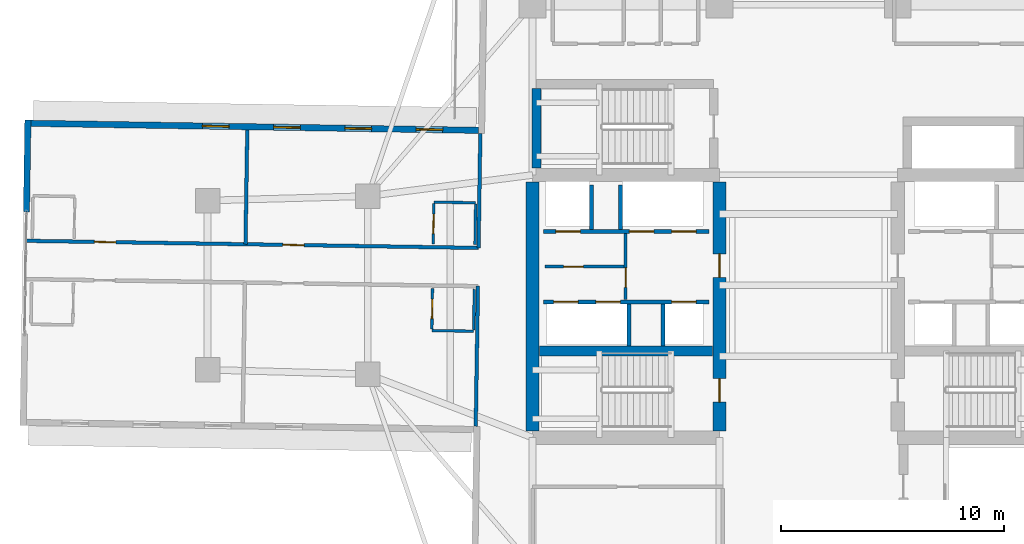
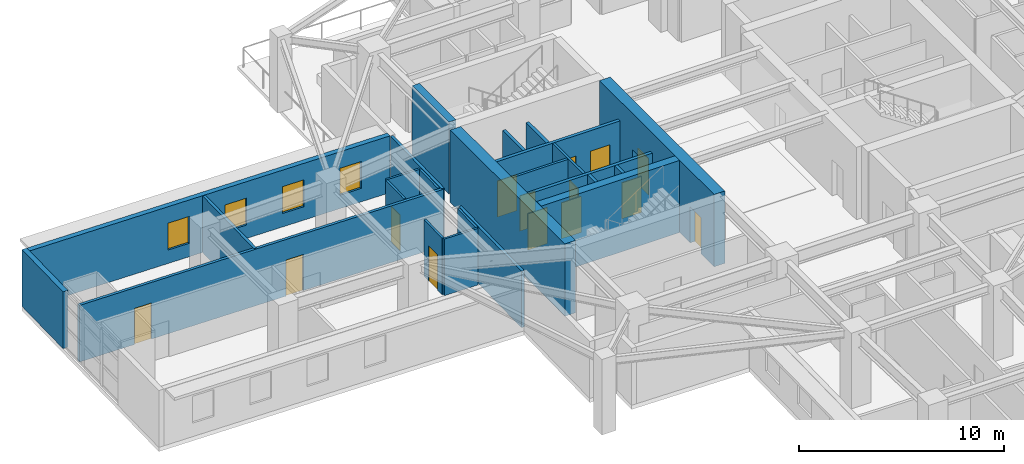
# One storey, part 13 of 22: 24 walls, 14 doors, 4 windows, 18 openings.
"""IFC4 building model written with IfcOpenShell, lengths in metres."""

from ifc_helpers import new_model, si_unit, direction, frame, frame_2d, origin, place, context, subcontext, project, spatial, rectangle, extrude, material, layer, layer_set, type_object, element, fill, save


model = new_model("IFC4")

# Units and contexts
model_context = context("Model", 3, precision=1e-05, world=origin(), true_north=direction((0.0, 1.0)))
body_context = subcontext(model_context, "Body", "Model", "MODEL_VIEW")
ifc_project = project(units=[si_unit("LENGTHUNIT", "METRE"), si_unit("AREAUNIT", "SQUARE_METRE"), si_unit("VOLUMEUNIT", "CUBIC_METRE"), si_unit("PLANEANGLEUNIT", "RADIAN"), si_unit("MASSUNIT", "GRAM", prefix="KILO")], contexts=[model_context])

# Site, building, storey
site_placement = place(None, origin())
site = spatial("IfcSite", under=ifc_project, at=site_placement, CompositionType="ELEMENT")
building_placement = place(site_placement, origin())
building = spatial("IfcBuilding", under=site, at=building_placement, Name="Qingluan Cross Belvedere", CompositionType="ELEMENT")
storey_placement = place(building_placement, frame((0.0, 0.0, 100.199951171875)))
storey = spatial("IfcBuildingStorey", under=building, at=storey_placement, Name="L25", CompositionType="ELEMENT", Elevation=100.199951171875)

# Walls
ifc_material_1 = material(Name="Concrete C50", Category="concrete")
ifc_layer_1 = layer(ifc_material_1, 0.449951171875, Name="CoreShearWall_450")
ifc_layer_set_1 = layer_set([ifc_layer_1], Name="Concrete C50")
wall_type_1 = type_object("IfcWallType", Name="CoreShearWall_450", PredefinedType="SHEAR", material=ifc_layer_set_1)
wall_1_placement = place(storey_placement, frame((-12.094970703125, -2.9599609375, 0.0), z_axis=(0.0, 0.0, 1.0), x_axis=(1.0, 0.0, 0.0)))
element("IfcWall", 1, at=wall_1_placement, inside=storey, type_object=wall_type_1, Name="Split core W shear wall L25-M", PredefinedType="SHEAR", context=body_context, shape_type="SweptSolid", body=[
    extrude(rectangle(XDim=7.7900390625, YDim=0.449951171875, at=frame_2d((3.89501953125, 0.0))), origin(), (0.0, 0.0, 1.0), 4.300048828125),
])
wall_2_placement = place(storey_placement, frame((-12.219970703125, 5.2548828125, 0.0), z_axis=(0.0, 0.0, 1.0), x_axis=(0.0, 1.0, 0.0)))
element("IfcWall", 2, at=wall_2_placement, inside=storey, type_object=wall_type_1, Name="Stair ST3 structural wall W L25", PredefinedType="SHEAR", context=body_context, shape_type="SweptSolid", body=[
    extrude(rectangle(XDim=3.580078125, YDim=0.39990234375, at=frame_2d((1.7900390625, 0.0))), origin(), (0.0, 0.0, 1.0), 4.300048828125),
])
ifc_material_2 = material(Name="Concrete C60", Category="concrete")
ifc_layer_2 = layer(ifc_material_2, 0.60009765625, Name="CoreShearWall_600")
ifc_layer_set_2 = layer_set([ifc_layer_2], Name="Concrete C60")
wall_type_2 = type_object("IfcWallType", Name="CoreShearWall_600", PredefinedType="SHEAR", material=ifc_layer_set_2)
wall_3_placement = place(storey_placement, frame((-12.39990234375, -6.544921875, 0.0), z_axis=(0.0, 0.0, 1.0), x_axis=(0.0, 1.0, 0.0)))
element("IfcWall", 3, at=wall_3_placement, inside=storey, type_object=wall_type_2, Name="Split core W shear wall L25-W", PredefinedType="SHEAR", context=body_context, shape_type="SweptSolid", body=[
    extrude(rectangle(XDim=11.18994140625, YDim=0.60009765625, at=frame_2d((5.594970703125, 0.0))), origin(), (0.0, 0.0, 1.0), 4.300048828125),
])

# Wall, openings, doors
wall_4_placement = place(storey_placement, frame((-4.0, -6.544921875, 0.0), z_axis=(0.0, 0.0, 1.0), x_axis=(0.0, 1.0, 0.0)))
wall_4 = element("IfcWall", 4, at=wall_4_placement, inside=storey, type_object=wall_type_2, Name="Split core W shear wall L25-E", PredefinedType="SHEAR", context=body_context, shape_type="SweptSolid", body=[
    extrude(rectangle(XDim=11.18994140625, YDim=0.60009765625, at=frame_2d((5.594970703125, 0.0))), origin(), (0.0, 0.0, 1.0), 4.300048828125),
])
opening_1_placement = place(wall_4_placement, frame((1.294921875, 0.0, 0.0)))
opening_1 = element("IfcOpeningElement", 5, at=opening_1_placement, cuts=wall_4, Name="Opening FD-B11", PredefinedType="OPENING", context=body_context, shape_type="SweptSolid", body=[
    extrude(rectangle(XDim=1.050048828125, YDim=2.14990234375, at=frame_2d((0.52490234375, 1.074951171875))), frame((0.0, 0.31005859375, 0.0), z_axis=(0.0, -1.0, 0.0), x_axis=(1.0, 0.0, 0.0)), (0.0, 0.0, 1.0), 0.6201171875),
])
opening_2_placement = place(wall_4_placement, frame((6.89501953125, 0.0, 0.0)))
opening_2 = element("IfcOpeningElement", 6, at=opening_2_placement, cuts=wall_4, Name="Opening FD-B11", PredefinedType="OPENING", context=body_context, shape_type="SweptSolid", body=[
    extrude(rectangle(XDim=1.050048828125, YDim=2.14990234375, at=frame_2d((0.52490234375, 1.074951171875))), frame((0.0, 0.31005859375, 0.0), z_axis=(0.0, -1.0, 0.0), x_axis=(1.0, 0.0, 0.0)), (0.0, 0.0, 1.0), 0.6201171875),
])
ifc_material_3 = material(Name="Steel Class B smoke-seal fire door", Category="steel")
door_type_1 = type_object("IfcDoorType", Name="StairLobbyFireDoor_FDB", OperationType="NOTDEFINED", PredefinedType="DOOR", material=ifc_material_3)
door_1_placement = place(opening_1_placement, origin())
door_1 = element("IfcDoor", 7, at=door_1_placement, inside=storey, type_object=door_type_1, Name="Smoke-proof stair ST1 fire door L25", OperationType="SINGLE_SWING_RIGHT", OverallHeight=2.14990234375, OverallWidth=1.050048828125, PredefinedType="DOOR", context=body_context, shape_type="SweptSolid", body=[
    extrude(rectangle(XDim=1.050048828125, YDim=2.14990234375, at=frame_2d((0.52490234375, 1.074951171875))), frame((0.0, 0.02490234375, 0.0), z_axis=(0.0, -1.0, 0.0), x_axis=(1.0, 0.0, 0.0)), (0.0, 0.0, 1.0), 0.050048828125),
])
fill(opening_1, door_1)
door_2_placement = place(opening_2_placement, origin())
door_2 = element("IfcDoor", 8, at=door_2_placement, inside=storey, type_object=door_type_1, Name="Firefighting lobby West fire door L25", OperationType="SINGLE_SWING_RIGHT", OverallHeight=2.14990234375, OverallWidth=1.050048828125, PredefinedType="DOOR", context=body_context, shape_type="SweptSolid", body=[
    extrude(rectangle(XDim=1.050048828125, YDim=2.14990234375, at=frame_2d((0.52490234375, 1.074951171875))), frame((0.0, 0.02490234375, 0.0), z_axis=(0.0, -1.0, 0.0), x_axis=(1.0, 0.0, 0.0)), (0.0, 0.0, 1.0), 0.050048828125),
])
fill(opening_2, door_2)

# Wall, opening, door
ifc_material_4 = material(Name="Gypsum plasterboard on steel stud acoustic partition", Category="steel")
ifc_layer_3 = layer(ifc_material_4, 0.159912109375, Name="CorridorPartition_160")
ifc_layer_set_3 = layer_set([ifc_layer_3], Name="Gypsum plasterboard on steel stud acoustic partition")
wall_type_3 = type_object("IfcWallType", Name="CorridorPartition_160", PredefinedType="PARTITIONING", material=ifc_layer_set_3)
wall_5_placement = place(storey_placement, frame((-11.85009765625, 0.830078125, 0.0), z_axis=(0.0, 0.0, 1.0), x_axis=(1.0, 0.0, 0.0)))
wall_5 = element("IfcWall", 9, at=wall_5_placement, inside=storey, type_object=wall_type_3, Name="Partition L25:w", PredefinedType="PARTITIONING", context=body_context, shape_type="SweptSolid", body=[
    extrude(rectangle(XDim=3.552001953125, YDim=0.139892578125, at=frame_2d((1.77587890625, 0.0))), origin(), (0.0, 0.0, 1.0), 3.3701171875),
])
opening_3_placement = place(wall_5_placement, frame((0.85009765625, 0.0, 0.0)))
opening_3 = element("IfcOpeningElement", 10, at=opening_3_placement, cuts=wall_5, Name="Opening FD-B10", PredefinedType="OPENING", context=body_context, shape_type="SweptSolid", body=[
    extrude(rectangle(XDim=0.8798828125, YDim=2.10009765625, at=frame_2d((0.43994140625, 1.050048828125))), frame((0.0, 0.079833984375, 0.0), z_axis=(0.0, -1.0, 0.0), x_axis=(1.0, 0.0, 0.0)), (0.0, 0.0, 1.0), 0.159912109375),
])
ifc_material_5 = material(Name="Steel Class B service fire door", Category="steel")
door_type_2 = type_object("IfcDoorType", Name="RiserServiceFireDoor_FDB", OperationType="NOTDEFINED", PredefinedType="DOOR", material=ifc_material_5)
door_3_placement = place(opening_3_placement, origin())
door_3 = element("IfcDoor", 11, at=door_3_placement, inside=storey, type_object=door_type_2, Name="Service closet inner door L25", OperationType="SINGLE_SWING_RIGHT", OverallHeight=2.10009765625, OverallWidth=0.8798828125, PredefinedType="DOOR", context=body_context, shape_type="SweptSolid", body=[
    extrude(rectangle(XDim=0.8798828125, YDim=2.10009765625, at=frame_2d((0.43994140625, 1.050048828125))), frame((0.0, 0.02490234375, 0.0), z_axis=(0.0, -1.0, 0.0), x_axis=(1.0, 0.0, 0.0)), (0.0, 0.0, 1.0), 0.050048828125),
])
fill(opening_3, door_3)

# Wall, openings, doors
wall_6_placement = place(storey_placement, frame((-14.825439453125, 1.673095703125, 0.0), z_axis=(0.0, 0.0, 1.0), x_axis=(-0.999876629467, 0.015707509204, 0.0)))
wall_6 = element("IfcWall", 12, at=wall_6_placement, inside=storey, type_object=wall_type_3, Name="Partition L25:W:c0", PredefinedType="PARTITIONING", context=body_context, shape_type="SweptSolid", body=[
    extrude(rectangle(XDim=20.330078125, YDim=0.159912109375, at=frame_2d((10.1650390625, 0.0))), origin(), (0.0, 0.0, 1.0), 3.3701171875),
])
opening_4_placement = place(wall_6_placement, frame((7.8359375, 0.0, 0.0)))
opening_4 = element("IfcOpeningElement", 13, at=opening_4_placement, cuts=wall_6, Name="Opening GD-10", PredefinedType="OPENING", context=body_context, shape_type="SweptSolid", body=[
    extrude(rectangle(XDim=0.9599609375, YDim=2.14990234375, at=frame_2d((0.47998046875, 1.074951171875))), frame((0.0, 0.08984375, 0.0), z_axis=(0.0, -1.0, 0.0), x_axis=(1.0, 0.0, 0.0)), (0.0, 0.0, 1.0), 0.179931640625),
])
opening_5_placement = place(wall_6_placement, frame((16.2958984375, 0.0, 0.0)))
opening_5 = element("IfcOpeningElement", 14, at=opening_5_placement, cuts=wall_6, Name="Opening GD-10", PredefinedType="OPENING", context=body_context, shape_type="SweptSolid", body=[
    extrude(rectangle(XDim=0.9599609375, YDim=2.14990234375, at=frame_2d((0.47998046875, 1.074951171875))), frame((0.0, 0.08984375, 0.0), z_axis=(0.0, -1.0, 0.0), x_axis=(1.0, 0.0, 0.0)), (0.0, 0.0, 1.0), 0.179931640625),
])
ifc_material_6 = material(Name="Timber oak fire-rated acoustic guestroom door", Category="wood")
door_type_3 = type_object("IfcDoorType", Name="GuestEntryDoor_FD60", OperationType="NOTDEFINED", PredefinedType="DOOR", material=ifc_material_6)
door_4_placement = place(opening_4_placement, origin())
door_4 = element("IfcDoor", 15, at=door_4_placement, inside=storey, type_object=door_type_3, Name="Guest entry fire door 2505", OperationType="SINGLE_SWING_LEFT", OverallHeight=2.14990234375, OverallWidth=0.9599609375, PredefinedType="DOOR", context=body_context, shape_type="SweptSolid", body=[
    extrude(rectangle(XDim=0.9599609375, YDim=2.14990234375, at=frame_2d((0.47998046875, 1.074951171875))), frame((0.0, 0.02490234375, 0.0), z_axis=(0.0, -1.0, 0.0), x_axis=(1.0, 0.0, 0.0)), (0.0, 0.0, 1.0), 0.050048828125),
])
fill(opening_4, door_4)
door_5_placement = place(opening_5_placement, origin())
door_5 = element("IfcDoor", 16, at=door_5_placement, inside=storey, type_object=door_type_3, Name="Guest entry fire door 2506", OperationType="SINGLE_SWING_LEFT", OverallHeight=2.14990234375, OverallWidth=0.9599609375, PredefinedType="DOOR", context=body_context, shape_type="SweptSolid", body=[
    extrude(rectangle(XDim=0.9599609375, YDim=2.14990234375, at=frame_2d((0.47998046875, 1.074951171875))), frame((0.0, 0.02490234375, 0.0), z_axis=(0.0, -1.0, 0.0), x_axis=(1.0, 0.0, 0.0)), (0.0, 0.0, 1.0), 0.050048828125),
])
fill(opening_5, door_5)

# Walls
wall_7_placement = place(storey_placement, frame((-14.825439453125, 1.673095703125, 0.0), z_axis=(0.0, 0.0, 1.0), x_axis=(0.015698892967, 0.999876764786, 0.0)))
element("IfcWall", 17, at=wall_7_placement, inside=storey, type_object=wall_type_3, Name="Partition L25:W:s0", PredefinedType="PARTITIONING", context=body_context, shape_type="SweptSolid", body=[
    extrude(rectangle(XDim=5.132080078125, YDim=0.159912109375, at=frame_2d((2.56591796875, 0.0))), origin(), (0.0, 0.0, 1.0), 3.3701171875),
])
wall_8_placement = place(storey_placement, frame((-25.294189453125, 1.83740234375, 0.0), z_axis=(0.0, 0.0, 1.0), x_axis=(0.01569814626, 0.99987677651, 0.0)))
element("IfcWall", 18, at=wall_8_placement, inside=storey, type_object=wall_type_3, Name="Partition L25:W:d0_0", PredefinedType="PARTITIONING", context=body_context, shape_type="SweptSolid", body=[
    extrude(rectangle(XDim=5.13232421875, YDim=0.159912109375, at=frame_2d((2.566162109375, 0.0))), origin(), (0.0, 0.0, 1.0), 3.3701171875),
])
wall_9_placement = place(storey_placement, frame((-14.8525390625, -0.046630859375, 0.0), z_axis=(0.0, 0.0, 1.0), x_axis=(-0.01571461794, -0.999876517768, 0.0)))
element("IfcWall", 19, at=wall_9_placement, inside=storey, type_object=wall_type_3, Name="Partition L25:W:s1", PredefinedType="PARTITIONING", context=body_context, shape_type="SweptSolid", body=[
    extrude(rectangle(XDim=6.2919921875, YDim=0.159912109375, at=frame_2d((3.14599609375, 0.0))), origin(), (0.0, 0.0, 1.0), 3.3701171875),
])

# Wall, opening, door
ifc_material_7 = material(Name="Moisture-resistant gypsum board lining")
ifc_layer_4 = layer(ifc_material_7, 0.1201171875, Name="EnsuiteWetPartition_120")
ifc_layer_set_4 = layer_set([ifc_layer_4], Name="Moisture-resistant gypsum board lining")
wall_type_4 = type_object("IfcWallType", Name="EnsuiteWetPartition_120", PredefinedType="PARTITIONING", material=ifc_layer_set_4)
wall_10_placement = place(storey_placement, frame((-16.863037109375, 1.84521484375, 0.0), z_axis=(0.0, 0.0, 1.0), x_axis=(0.015696442504, 0.999876803258, 0.0)))
wall_10 = element("IfcWall", 20, at=wall_10_placement, inside=storey, type_object=wall_type_4, Name="Partition L25:W:bs0_0", PredefinedType="PARTITIONING", context=body_context, shape_type="SweptSolid", body=[
    extrude(rectangle(XDim=1.81982421875, YDim=0.1201171875, at=frame_2d((0.909912109375, 0.0))), origin(), (0.0, 0.0, 1.0), 3.3701171875),
])
opening_6_placement = place(wall_10_placement, frame((0.469970703125, 0.0, 0.0)))
opening_6 = element("IfcOpeningElement", 21, at=opening_6_placement, cuts=wall_10, Name="Opening BD-09", PredefinedType="OPENING", context=body_context, shape_type="SweptSolid", body=[
    extrude(rectangle(XDim=0.8798828125, YDim=2.10009765625, at=frame_2d((0.43994140625, 1.050048828125))), frame((0.0, 0.070068359375, 0.0), z_axis=(0.0, -1.0, 0.0), x_axis=(1.0, 0.0, 0.0)), (0.0, 0.0, 1.0), 0.14013671875),
])
ifc_material_8 = material(Name="Moisture-sealed timber en-suite door", Category="wood")
door_type_4 = type_object("IfcDoorType", Name="BathroomDoor_880", OperationType="NOTDEFINED", PredefinedType="DOOR", material=ifc_material_8)
door_6_placement = place(opening_6_placement, origin())
door_6 = element("IfcDoor", 22, at=door_6_placement, inside=storey, type_object=door_type_4, Name="Bathroom door 2505", OperationType="SINGLE_SWING_RIGHT", OverallHeight=2.10009765625, OverallWidth=0.8798828125, PredefinedType="DOOR", context=body_context, shape_type="SweptSolid", body=[
    extrude(rectangle(XDim=0.8798828125, YDim=2.10009765625, at=frame_2d((0.43994140625, 1.050048828125))), frame((0.0, 0.02490234375, 0.0), z_axis=(0.0, -1.0, 0.0), x_axis=(1.0, 0.0, 0.0)), (0.0, 0.0, 1.0), 0.050048828125),
])
fill(opening_6, door_6)

# Walls
wall_11_placement = place(storey_placement, frame((-14.9833984375, 1.815673828125, 0.0), z_axis=(0.0, 0.0, 1.0), x_axis=(0.015830566654, 0.999874688728, 0.0)))
element("IfcWall", 23, at=wall_11_placement, inside=storey, type_object=wall_type_4, Name="Partition L25:W:bw0_0", PredefinedType="PARTITIONING", context=body_context, shape_type="SweptSolid", body=[
    extrude(rectangle(XDim=1.81982421875, YDim=0.1201171875, at=frame_2d((0.909912109375, 0.0))), origin(), (0.0, 0.0, 1.0), 3.3701171875),
])
wall_12_placement = place(storey_placement, frame((-14.95361328125, 3.7001953125, 0.0), z_axis=(0.0, 0.0, 1.0), x_axis=(-0.99987450499, 0.015842167482, 0.0)))
element("IfcWall", 24, at=wall_12_placement, inside=storey, type_object=wall_type_4, Name="Partition L25:W:bn0_0", PredefinedType="PARTITIONING", context=body_context, shape_type="SweptSolid", body=[
    extrude(rectangle(XDim=1.880126953125, YDim=0.1201171875, at=frame_2d((0.93994140625, 0.0))), origin(), (0.0, 0.0, 1.0), 3.3701171875),
])

# Wall, opening, door
wall_13_placement = place(storey_placement, frame((-16.923095703125, -1.974365234375, 0.0), z_axis=(0.0, 0.0, 1.0), x_axis=(0.015696442504, 0.999876803258, 0.0)))
wall_13 = element("IfcWall", 25, at=wall_13_placement, inside=storey, type_object=wall_type_4, Name="Partition L25:W:bs1_0", PredefinedType="PARTITIONING", context=body_context, shape_type="SweptSolid", body=[
    extrude(rectangle(XDim=1.81982421875, YDim=0.1201171875, at=frame_2d((0.909912109375, 0.0))), origin(), (0.0, 0.0, 1.0), 3.3701171875),
])
opening_7_placement = place(wall_13_placement, frame((0.469970703125, 0.0, 0.0)))
opening_7 = element("IfcOpeningElement", 26, at=opening_7_placement, cuts=wall_13, Name="Opening BD-09", PredefinedType="OPENING", context=body_context, shape_type="SweptSolid", body=[
    extrude(rectangle(XDim=0.8798828125, YDim=2.10009765625, at=frame_2d((0.43994140625, 1.050048828125))), frame((0.0, 0.070068359375, 0.0), z_axis=(0.0, -1.0, 0.0), x_axis=(1.0, 0.0, 0.0)), (0.0, 0.0, 1.0), 0.14013671875),
])
door_7_placement = place(opening_7_placement, origin())
door_7 = element("IfcDoor", 27, at=door_7_placement, inside=storey, type_object=door_type_4, Name="Bathroom door 2507", OperationType="SINGLE_SWING_RIGHT", OverallHeight=2.10009765625, OverallWidth=0.8798828125, PredefinedType="DOOR", context=body_context, shape_type="SweptSolid", body=[
    extrude(rectangle(XDim=0.8798828125, YDim=2.10009765625, at=frame_2d((0.43994140625, 1.050048828125))), frame((0.0, 0.02490234375, 0.0), z_axis=(0.0, -1.0, 0.0), x_axis=(1.0, 0.0, 0.0)), (0.0, 0.0, 1.0), 0.050048828125),
])
fill(opening_7, door_7)

# Walls
wall_14_placement = place(storey_placement, frame((-15.043212890625, -2.00390625, 0.0), z_axis=(0.0, 0.0, 1.0), x_axis=(0.015694337248, 0.999876836305, 0.0)))
element("IfcWall", 28, at=wall_14_placement, inside=storey, type_object=wall_type_4, Name="Partition L25:W:bw1_0", PredefinedType="PARTITIONING", context=body_context, shape_type="SweptSolid", body=[
    extrude(rectangle(XDim=1.820068359375, YDim=0.1201171875, at=frame_2d((0.91015625, 0.0))), origin(), (0.0, 0.0, 1.0), 3.3701171875),
])
wall_15_placement = place(storey_placement, frame((-15.04443359375, -2.06884765625, 0.0), z_axis=(0.0, 0.0, 1.0), x_axis=(-0.99987652141, 0.015714386166, 0.0)))
element("IfcWall", 29, at=wall_15_placement, inside=storey, type_object=wall_type_4, Name="Partition L25:W:bc1_0", PredefinedType="PARTITIONING", context=body_context, shape_type="SweptSolid", body=[
    extrude(rectangle(XDim=1.8798828125, YDim=0.1201171875, at=frame_2d((0.93994140625, 0.0))), origin(), (0.0, 0.0, 1.0), 3.3701171875),
])

# Wall, openings, windows
ifc_material_9 = material(Name="Precast concrete C45", Category="concrete")
ifc_layer_5 = layer(ifc_material_9, 0.280029296875, Name="PrecastFacadeWall_280")
ifc_layer_set_5 = layer_set([ifc_layer_5], Name="Precast concrete C45")
wall_type_5 = type_object("IfcWallType", Name="PrecastFacadeWall_280", PredefinedType="STANDARD", material=ifc_layer_set_5)
wall_16_placement = place(storey_placement, frame((-14.83251953125, 6.953857421875, 0.0), z_axis=(0.0, 0.0, 1.0), x_axis=(-0.999876667941, 0.015705059908, 0.0)))
wall_16 = element("IfcWall", 30, at=wall_16_placement, inside=storey, type_object=wall_type_5, Name="Facade wall L25-WA", PredefinedType="STANDARD", context=body_context, shape_type="SweptSolid", body=[
    extrude(rectangle(XDim=20.10009765625, YDim=0.280029296875, at=frame_2d((10.050048828125, 0.0))), origin(), (0.0, 0.0, 1.0), 3.380126953125),
])
opening_8_placement = place(wall_16_placement, frame((1.60009765625, 0.0, 0.800048828125)))
opening_8 = element("IfcOpeningElement", 31, at=opening_8_placement, cuts=wall_16, Name="Opening W-02", PredefinedType="OPENING", context=body_context, shape_type="SweptSolid", body=[
    extrude(rectangle(XDim=1.199951171875, YDim=1.60009765625, at=frame_2d((0.60009765625, 0.800048828125))), frame((0.0, 0.14990234375, 0.0), z_axis=(0.0, -1.0, 0.0), x_axis=(1.0, 0.0, 0.0)), (0.0, 0.0, 1.0), 0.300048828125),
])
opening_9_placement = place(wall_16_placement, frame((4.800048828125, 0.0, 0.800048828125)))
opening_9 = element("IfcOpeningElement", 32, at=opening_9_placement, cuts=wall_16, Name="Opening W-02", PredefinedType="OPENING", context=body_context, shape_type="SweptSolid", body=[
    extrude(rectangle(XDim=1.199951171875, YDim=1.60009765625, at=frame_2d((0.60009765625, 0.800048828125))), frame((0.0, 0.14990234375, 0.0), z_axis=(0.0, -1.0, 0.0), x_axis=(1.0, 0.0, 0.0)), (0.0, 0.0, 1.0), 0.300048828125),
])
opening_10_placement = place(wall_16_placement, frame((8.0, 0.0, 0.800048828125)))
opening_10 = element("IfcOpeningElement", 33, at=opening_10_placement, cuts=wall_16, Name="Opening W-02", PredefinedType="OPENING", context=body_context, shape_type="SweptSolid", body=[
    extrude(rectangle(XDim=1.199951171875, YDim=1.60009765625, at=frame_2d((0.60009765625, 0.800048828125))), frame((0.0, 0.14990234375, 0.0), z_axis=(0.0, -1.0, 0.0), x_axis=(1.0, 0.0, 0.0)), (0.0, 0.0, 1.0), 0.300048828125),
])
opening_11_placement = place(wall_16_placement, frame((11.199951171875, 0.0, 0.800048828125)))
opening_11 = element("IfcOpeningElement", 34, at=opening_11_placement, cuts=wall_16, Name="Opening W-02", PredefinedType="OPENING", context=body_context, shape_type="SweptSolid", body=[
    extrude(rectangle(XDim=1.199951171875, YDim=1.60009765625, at=frame_2d((0.60009765625, 0.800048828125))), frame((0.0, 0.14990234375, 0.0), z_axis=(0.0, -1.0, 0.0), x_axis=(1.0, 0.0, 0.0)), (0.0, 0.0, 1.0), 0.300048828125),
])
ifc_material_10 = material(Name="Thermally broken triple Low-E glass in aluminium frame", Category="aluminium")
window_type = type_object("IfcWindowType", Name="TriRibbonWin_1200x1600", PartitioningType="SINGLE_PANEL", PredefinedType="WINDOW", material=ifc_material_10)
window_1_placement = place(opening_8_placement, origin())
window_1 = element("IfcWindow", 35, at=window_1_placement, inside=storey, type_object=window_type, Name="Ribbon window L25-WA-1", OverallHeight=1.60009765625, OverallWidth=1.199951171875, PartitioningType="SINGLE_PANEL", PredefinedType="WINDOW", context=body_context, shape_type="SweptSolid", body=[
    extrude(rectangle(XDim=1.199951171875, YDim=1.60009765625, at=frame_2d((0.60009765625, 0.800048828125))), frame((0.0, 0.030029296875, 0.0), z_axis=(0.0, -1.0, 0.0), x_axis=(1.0, 0.0, 0.0)), (0.0, 0.0, 1.0), 0.06005859375),
])
fill(opening_8, window_1)
window_2_placement = place(opening_9_placement, origin())
window_2 = element("IfcWindow", 36, at=window_2_placement, inside=storey, type_object=window_type, Name="Ribbon window L25-WA-2", OverallHeight=1.60009765625, OverallWidth=1.199951171875, PartitioningType="SINGLE_PANEL", PredefinedType="WINDOW", context=body_context, shape_type="SweptSolid", body=[
    extrude(rectangle(XDim=1.199951171875, YDim=1.60009765625, at=frame_2d((0.60009765625, 0.800048828125))), frame((0.0, 0.030029296875, 0.0), z_axis=(0.0, -1.0, 0.0), x_axis=(1.0, 0.0, 0.0)), (0.0, 0.0, 1.0), 0.06005859375),
])
fill(opening_9, window_2)
window_3_placement = place(opening_10_placement, origin())
window_3 = element("IfcWindow", 37, at=window_3_placement, inside=storey, type_object=window_type, Name="Ribbon window L25-WA-3", OverallHeight=1.60009765625, OverallWidth=1.199951171875, PartitioningType="SINGLE_PANEL", PredefinedType="WINDOW", context=body_context, shape_type="SweptSolid", body=[
    extrude(rectangle(XDim=1.199951171875, YDim=1.60009765625, at=frame_2d((0.60009765625, 0.800048828125))), frame((0.0, 0.030029296875, 0.0), z_axis=(0.0, -1.0, 0.0), x_axis=(1.0, 0.0, 0.0)), (0.0, 0.0, 1.0), 0.06005859375),
])
fill(opening_10, window_3)
window_4_placement = place(opening_11_placement, origin())
window_4 = element("IfcWindow", 38, at=window_4_placement, inside=storey, type_object=window_type, Name="Ribbon window L25-WA-4", OverallHeight=1.60009765625, OverallWidth=1.199951171875, PartitioningType="SINGLE_PANEL", PredefinedType="WINDOW", context=body_context, shape_type="SweptSolid", body=[
    extrude(rectangle(XDim=1.199951171875, YDim=1.60009765625, at=frame_2d((0.60009765625, 0.800048828125))), frame((0.0, 0.030029296875, 0.0), z_axis=(0.0, -1.0, 0.0), x_axis=(1.0, 0.0, 0.0)), (0.0, 0.0, 1.0), 0.06005859375),
])
fill(opening_11, window_4)

# Wall
wall_17_placement = place(storey_placement, frame((-35.06787109375, 7.41162109375, 0.0), z_axis=(0.0, 0.0, 1.0), x_axis=(-0.015718530042, -0.999876456275, 0.0)))
element("IfcWall", 39, at=wall_17_placement, inside=storey, type_object=wall_type_5, Name="Terrace portal jamb wall L25-W1", PredefinedType="STANDARD", context=body_context, shape_type="SweptSolid", body=[
    extrude(rectangle(XDim=4.115966796875, YDim=0.280029296875, at=frame_2d((2.05810546875, 0.0))), origin(), (0.0, 0.0, 1.0), 3.380126953125),
])

# Wall, openings, doors
ifc_material_11 = material(Name="Concrete C40", Category="concrete")
ifc_layer_6 = layer(ifc_material_11, 0.219970703125, Name="ShaftEnclosureWall_250")
ifc_layer_set_6 = layer_set([ifc_layer_6], Name="Concrete C40")
wall_type_6 = type_object("IfcWallType", Name="ShaftEnclosureWall_250", PredefinedType="SOLIDWALL", material=ifc_layer_set_6)
wall_18_placement = place(storey_placement, frame((-11.89990234375, 2.409912109375, 0.0), z_axis=(0.0, 0.0, 1.0), x_axis=(1.0, 0.0, 0.0)))
wall_18 = element("IfcWall", 40, at=wall_18_placement, inside=storey, type_object=wall_type_6, Name="Core-W north hoistway wall L25", PredefinedType="SOLIDWALL", context=body_context, shape_type="SweptSolid", body=[
    extrude(rectangle(XDim=7.419921875, YDim=0.179931640625, at=frame_2d((3.7099609375, 0.0))), origin(), (0.0, 0.0, 1.0), 3.3701171875),
])
opening_12_placement = place(wall_18_placement, frame((0.550048828125, 0.0, 0.0)))
opening_12 = element("IfcOpeningElement", 41, at=opening_12_placement, cuts=wall_18, Name="Opening LD-11", PredefinedType="OPENING", context=body_context, shape_type="SweptSolid", body=[
    extrude(rectangle(XDim=1.10009765625, YDim=2.14990234375, at=frame_2d((0.550048828125, 1.074951171875))), frame((0.0, 0.099853515625, 0.0), z_axis=(0.0, -1.0, 0.0), x_axis=(1.0, 0.0, 0.0)), (0.0, 0.0, 1.0), 0.199951171875),
])
opening_13_placement = place(wall_18_placement, frame((3.85009765625, 0.0, 0.0)))
opening_13 = element("IfcOpeningElement", 42, at=opening_13_placement, cuts=wall_18, Name="Opening LD-11", PredefinedType="OPENING", context=body_context, shape_type="SweptSolid", body=[
    extrude(rectangle(XDim=1.10009765625, YDim=2.14990234375, at=frame_2d((0.550048828125, 1.074951171875))), frame((0.0, 0.099853515625, 0.0), z_axis=(0.0, -1.0, 0.0), x_axis=(1.0, 0.0, 0.0)), (0.0, 0.0, 1.0), 0.199951171875),
])
opening_14_placement = place(wall_18_placement, frame((5.75, 0.0, 0.0)))
opening_14 = element("IfcOpeningElement", 43, at=opening_14_placement, cuts=wall_18, Name="Opening LD-11", PredefinedType="OPENING", context=body_context, shape_type="SweptSolid", body=[
    extrude(rectangle(XDim=1.10009765625, YDim=2.14990234375, at=frame_2d((0.550048828125, 1.074951171875))), frame((0.0, 0.099853515625, 0.0), z_axis=(0.0, -1.0, 0.0), x_axis=(1.0, 0.0, 0.0)), (0.0, 0.0, 1.0), 0.199951171875),
])
ifc_material_12 = material(Name="Brushed stainless steel centre-opening lift landing door", Category="steel")
door_type_5 = type_object("IfcDoorType", Name="LiftLandingSlidingDoor_1100", OperationType="DOUBLE_DOOR_SLIDING", PredefinedType="DOOR", material=ifc_material_12)
door_8_placement = place(opening_12_placement, origin())
door_8 = element("IfcDoor", 44, at=door_8_placement, inside=storey, type_object=door_type_5, Name="Lift landing sliding door FL1 L25", OperationType="DOUBLE_DOOR_SLIDING", OverallHeight=2.14990234375, OverallWidth=1.10009765625, PredefinedType="DOOR", context=body_context, shape_type="SweptSolid", body=[
    extrude(rectangle(XDim=1.10009765625, YDim=2.14990234375, at=frame_2d((0.550048828125, 1.074951171875))), frame((0.0, 0.02490234375, 0.0), z_axis=(0.0, -1.0, 0.0), x_axis=(1.0, 0.0, 0.0)), (0.0, 0.0, 1.0), 0.050048828125),
])
fill(opening_12, door_8)
door_9_placement = place(opening_13_placement, origin())
door_9 = element("IfcDoor", 45, at=door_9_placement, inside=storey, type_object=door_type_5, Name="Lift landing sliding door LP1 L25", OperationType="DOUBLE_DOOR_SLIDING", OverallHeight=2.14990234375, OverallWidth=1.10009765625, PredefinedType="DOOR", context=body_context, shape_type="SweptSolid", body=[
    extrude(rectangle(XDim=1.10009765625, YDim=2.14990234375, at=frame_2d((0.550048828125, 1.074951171875))), frame((0.0, 0.02490234375, 0.0), z_axis=(0.0, -1.0, 0.0), x_axis=(1.0, 0.0, 0.0)), (0.0, 0.0, 1.0), 0.050048828125),
])
fill(opening_13, door_9)
door_10_placement = place(opening_14_placement, origin())
door_10 = element("IfcDoor", 46, at=door_10_placement, inside=storey, type_object=door_type_5, Name="Lift landing sliding door LP2 L25", OperationType="DOUBLE_DOOR_SLIDING", OverallHeight=2.14990234375, OverallWidth=1.10009765625, PredefinedType="DOOR", context=body_context, shape_type="SweptSolid", body=[
    extrude(rectangle(XDim=1.10009765625, YDim=2.14990234375, at=frame_2d((0.550048828125, 1.074951171875))), frame((0.0, 0.02490234375, 0.0), z_axis=(0.0, -1.0, 0.0), x_axis=(1.0, 0.0, 0.0)), (0.0, 0.0, 1.0), 0.050048828125),
])
fill(opening_14, door_10)

wall_19_placement = place(storey_placement, frame((-11.89990234375, -0.75, 0.0), z_axis=(0.0, 0.0, 1.0), x_axis=(1.0, 0.0, 0.0)))
wall_19 = element("IfcWall", 47, at=wall_19_placement, inside=storey, type_object=wall_type_6, Name="Core-W mid hoistway wall L25", PredefinedType="SOLIDWALL", context=body_context, shape_type="SweptSolid", body=[
    extrude(rectangle(XDim=7.419921875, YDim=0.179931640625, at=frame_2d((3.7099609375, 0.0))), origin(), (0.0, 0.0, 1.0), 3.3701171875),
])
opening_15_placement = place(wall_19_placement, frame((0.449951171875, 0.0, 0.0)))
opening_15 = element("IfcOpeningElement", 48, at=opening_15_placement, cuts=wall_19, Name="Opening LD-11", PredefinedType="OPENING", context=body_context, shape_type="SweptSolid", body=[
    extrude(rectangle(XDim=1.10009765625, YDim=2.14990234375, at=frame_2d((0.550048828125, 1.074951171875))), frame((0.0, 0.099853515625, 0.0), z_axis=(0.0, -1.0, 0.0), x_axis=(1.0, 0.0, 0.0)), (0.0, 0.0, 1.0), 0.199951171875),
])
opening_16_placement = place(wall_19_placement, frame((2.35009765625, 0.0, 0.0)))
opening_16 = element("IfcOpeningElement", 49, at=opening_16_placement, cuts=wall_19, Name="Opening LD-11", PredefinedType="OPENING", context=body_context, shape_type="SweptSolid", body=[
    extrude(rectangle(XDim=1.10009765625, YDim=2.14990234375, at=frame_2d((0.550048828125, 1.074951171875))), frame((0.0, 0.099853515625, 0.0), z_axis=(0.0, -1.0, 0.0), x_axis=(1.0, 0.0, 0.0)), (0.0, 0.0, 1.0), 0.199951171875),
])
opening_17_placement = place(wall_19_placement, frame((5.75, 0.0, 0.0)))
opening_17 = element("IfcOpeningElement", 50, at=opening_17_placement, cuts=wall_19, Name="Opening LD-11", PredefinedType="OPENING", context=body_context, shape_type="SweptSolid", body=[
    extrude(rectangle(XDim=1.10009765625, YDim=2.14990234375, at=frame_2d((0.550048828125, 1.074951171875))), frame((0.0, 0.099853515625, 0.0), z_axis=(0.0, -1.0, 0.0), x_axis=(1.0, 0.0, 0.0)), (0.0, 0.0, 1.0), 0.199951171875),
])
door_11_placement = place(opening_15_placement, origin())
door_11 = element("IfcDoor", 51, at=door_11_placement, inside=storey, type_object=door_type_5, Name="Lift landing sliding door LP5 L25", OperationType="DOUBLE_DOOR_SLIDING", OverallHeight=2.14990234375, OverallWidth=1.10009765625, PredefinedType="DOOR", context=body_context, shape_type="SweptSolid", body=[
    extrude(rectangle(XDim=1.10009765625, YDim=2.14990234375, at=frame_2d((0.550048828125, 1.074951171875))), frame((0.0, 0.02490234375, 0.0), z_axis=(0.0, -1.0, 0.0), x_axis=(1.0, 0.0, 0.0)), (0.0, 0.0, 1.0), 0.050048828125),
])
fill(opening_15, door_11)
door_12_placement = place(opening_16_placement, origin())
door_12 = element("IfcDoor", 52, at=door_12_placement, inside=storey, type_object=door_type_5, Name="Lift landing sliding door LP6 L25", OperationType="DOUBLE_DOOR_SLIDING", OverallHeight=2.14990234375, OverallWidth=1.10009765625, PredefinedType="DOOR", context=body_context, shape_type="SweptSolid", body=[
    extrude(rectangle(XDim=1.10009765625, YDim=2.14990234375, at=frame_2d((0.550048828125, 1.074951171875))), frame((0.0, 0.02490234375, 0.0), z_axis=(0.0, -1.0, 0.0), x_axis=(1.0, 0.0, 0.0)), (0.0, 0.0, 1.0), 0.050048828125),
])
fill(opening_16, door_12)
door_13_placement = place(opening_17_placement, origin())
door_13 = element("IfcDoor", 53, at=door_13_placement, inside=storey, type_object=door_type_5, Name="Lift landing sliding door LP8 L25", OperationType="DOUBLE_DOOR_SLIDING", OverallHeight=2.14990234375, OverallWidth=1.10009765625, PredefinedType="DOOR", context=body_context, shape_type="SweptSolid", body=[
    extrude(rectangle(XDim=1.10009765625, YDim=2.14990234375, at=frame_2d((0.550048828125, 1.074951171875))), frame((0.0, 0.02490234375, 0.0), z_axis=(0.0, -1.0, 0.0), x_axis=(1.0, 0.0, 0.0)), (0.0, 0.0, 1.0), 0.050048828125),
])
fill(opening_17, door_13)

# Walls
for number, where, z_axis, x_axis, name in (
    (54, (-9.760009765625, 2.5, 0.0), (0.0, 0.0, 1.0), (0.0, 1.0, 0.0), "Hoistway enclosure divider FL1E L25"),
    (55, (-8.43994140625, 2.5, 0.0), (0.0, 0.0, 1.0), (0.0, 1.0, 0.0), "Hoistway enclosure divider LP1W L25"),
):
    element("IfcWall", number, at=place(storey_placement, frame(where, z_axis=z_axis, x_axis=x_axis)), inside=storey, type_object=wall_type_6, Name=name, PredefinedType="SOLIDWALL", context=body_context, shape_type="SweptSolid", body=[
        extrude(rectangle(XDim=1.989990234375, YDim=0.179931640625, at=frame_2d((0.9951171875, 0.0))), origin(), (0.0, 0.0, 1.0), 3.3701171875),
    ])
for number, where, z_axis, x_axis, name in (
    (56, (-8.06005859375, -2.72998046875, 0.0), (0.0, 0.0, 1.0), (0.0, 1.0, 0.0), "Hoistway enclosure divider LP6E L25"),
    (57, (-6.5400390625, -2.72998046875, 0.0), (0.0, 0.0, 1.0), (0.0, 1.0, 0.0), "Hoistway enclosure divider LP8W L25"),
):
    element("IfcWall", number, at=place(storey_placement, frame(where, z_axis=z_axis, x_axis=x_axis)), inside=storey, type_object=wall_type_6, Name=name, PredefinedType="SOLIDWALL", context=body_context, shape_type="SweptSolid", body=[
        extrude(rectangle(XDim=1.889892578125, YDim=0.179931640625, at=frame_2d((0.94482421875, 0.0))), origin(), (0.0, 0.0, 1.0), 3.3701171875),
    ])

# Wall, opening, door
wall_20_placement = place(storey_placement, frame((-8.219970703125, -0.64990234375, 0.0), z_axis=(0.0, 0.0, 1.0), x_axis=(0.0, 1.0, 0.0)))
wall_20 = element("IfcWall", 58, at=wall_20_placement, inside=storey, type_object=wall_type_6, Name="Core-W service corridor wall L25", PredefinedType="SOLIDWALL", context=body_context, shape_type="SweptSolid", body=[
    extrude(rectangle(XDim=2.9599609375, YDim=0.139892578125, at=frame_2d((1.47998046875, 0.0))), origin(), (0.0, 0.0, 1.0), 3.3701171875),
])
opening_18_placement = place(wall_20_placement, frame((0.550048828125, 0.0, 0.0)))
opening_18 = element("IfcOpeningElement", 59, at=opening_18_placement, cuts=wall_20, Name="Opening FD-B10", PredefinedType="OPENING", context=body_context, shape_type="SweptSolid", body=[
    extrude(rectangle(XDim=0.8798828125, YDim=2.10009765625, at=frame_2d((0.43994140625, 1.050048828125))), frame((0.0, 0.079833984375, 0.0), z_axis=(0.0, -1.0, 0.0), x_axis=(1.0, 0.0, 0.0)), (0.0, 0.0, 1.0), 0.159912109375),
])
door_14_placement = place(opening_18_placement, origin())
door_14 = element("IfcDoor", 60, at=door_14_placement, inside=storey, type_object=door_type_2, Name="Core-W service room door L25", OperationType="SINGLE_SWING_RIGHT", OverallHeight=2.10009765625, OverallWidth=0.8798828125, PredefinedType="DOOR", context=body_context, shape_type="SweptSolid", body=[
    extrude(rectangle(XDim=0.8798828125, YDim=2.10009765625, at=frame_2d((0.43994140625, 1.050048828125))), frame((0.0, 0.02490234375, 0.0), z_axis=(0.0, -1.0, 0.0), x_axis=(1.0, 0.0, 0.0)), (0.0, 0.0, 1.0), 0.050048828125),
])
fill(opening_18, door_14)

save(model, "model.ifc")
